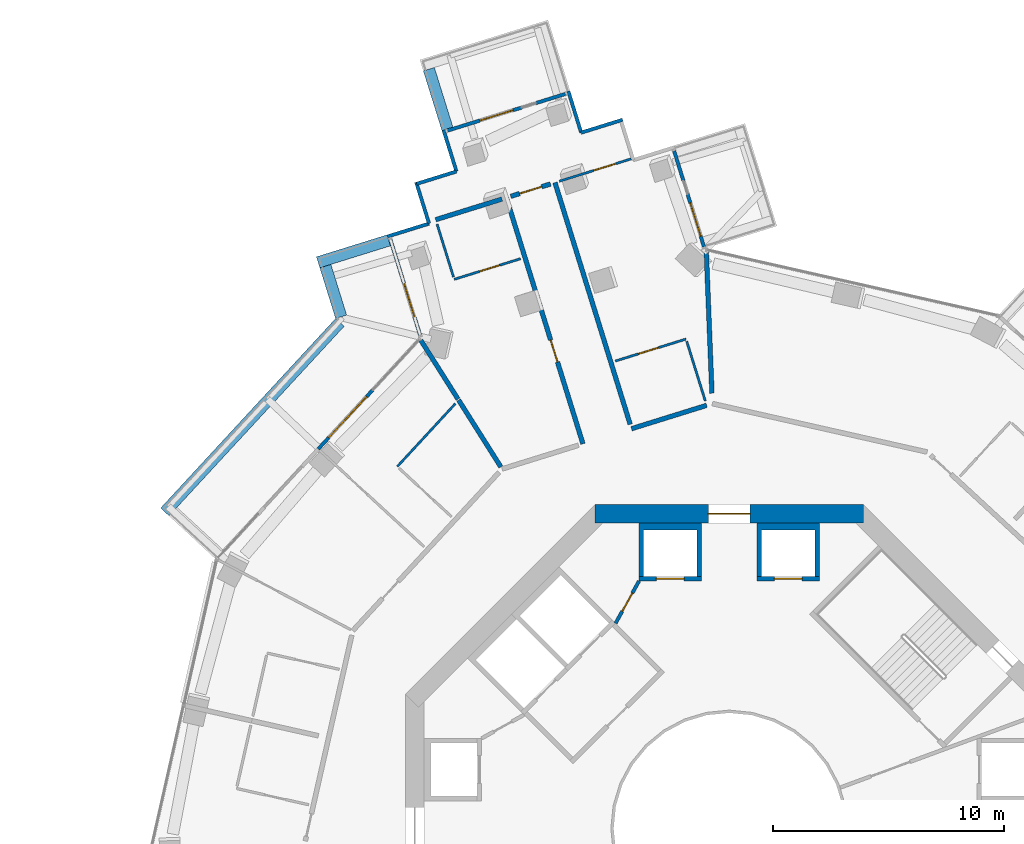
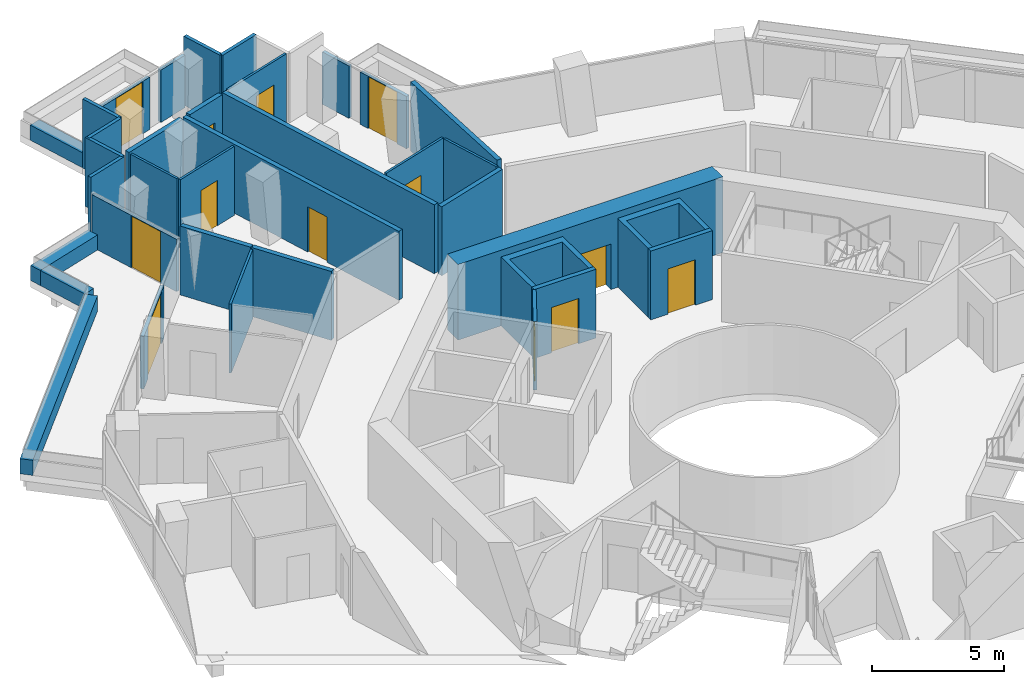
# One storey, part 21 of 25: 36 walls, 13 doors, 13 openings.
"""IFC4 building model written with IfcOpenShell, lengths in metres."""

import ifcopenshell
import ifcopenshell.guid

model = None  # the IFC model being written
_history = None  # IfcOwnerHistory: only IFC2X3 demands one
_inside = {}  # id of a spatial element -> (the spatial element, [elements in it])
_under = {}  # id of a project, library or spatial element -> (it, [spatial elements below it])
_declared = {}  # id of a project -> (the project, [libraries it declares])
_typed = {}  # id of a type object -> (the type object, [elements of that type])
_made_of = {}  # id of a material, layer set ... -> (it, [elements and type objects made of it])


def new_model(schema):
    """Start an empty IFC model of exactly this schema.

    Asked for "IFC4X3", IfcOpenShell would pick the latest addendum, in which some entities
    have other attributes; the version numbers below select the first issue.
    IFC2X3 requires an IfcOwnerHistory on every rooted entity: one is made here for all.
    """
    global model, _history
    if schema == "IFC4X3":
        model = ifcopenshell.file(schema_version=(4, 3, 0, 0))
    else:
        model = ifcopenshell.file(schema=schema)
    _inside.clear()
    _under.clear()
    _declared.clear()
    _typed.clear()
    _made_of.clear()
    _history = None
    if model.schema == "IFC2X3":
        org = make("IfcOrganization", Name="unknown")
        user = make(
            "IfcPersonAndOrganization",
            ThePerson=make("IfcPerson", FamilyName="unknown"),
            TheOrganization=org,
        )
        app = make(
            "IfcApplication",
            ApplicationDeveloper=org,
            Version="unknown",
            ApplicationFullName="unknown",
            ApplicationIdentifier="unknown",
        )
        _history = make(
            "IfcOwnerHistory",
            OwningUser=user,
            OwningApplication=app,
            ChangeAction="ADDED",
            CreationDate=0,
        )
    return model


def make(cls, **values):
    """One entity of the class cls with the attributes given. An attribute that is None is left unset."""
    return model.create_entity(
        cls, **{name: value for name, value in values.items() if value is not None}
    )


def rooted(cls, **values):
    """An entity with a GlobalId (a new one), such as an element, a storey or a relation."""
    return make(cls, GlobalId=ifcopenshell.guid.new(), OwnerHistory=_history, **values)


def si_unit(unit_type, name, prefix=None):
    """IfcSIUnit, for example si_unit("LENGTHUNIT", "METRE", prefix="MILLI")."""
    return make("IfcSIUnit", UnitType=unit_type, Prefix=prefix, Name=name)


def assignment(units):
    """IfcUnitAssignment: the units of a project."""
    return None if units is None else make("IfcUnitAssignment", Units=units)


def point(xyz):
    """IfcCartesianPoint."""
    return None if xyz is None else make("IfcCartesianPoint", Coordinates=xyz)


def direction(xyz):
    """IfcDirection."""
    return None if xyz is None else make("IfcDirection", DirectionRatios=xyz)


def frame(location, z_axis=None, x_axis=None):
    """IfcAxis2Placement3D, a coordinate frame: its origin and axes. An axis left out is left unset."""
    return make(
        "IfcAxis2Placement3D",
        Location=point(location),
        Axis=direction(z_axis),
        RefDirection=direction(x_axis),
    )


def frame_2d(location, x_axis=None):
    """IfcAxis2Placement2D, a coordinate frame in the plane: its origin and x axis."""
    return make(
        "IfcAxis2Placement2D", Location=point(location), RefDirection=direction(x_axis)
    )


def origin():
    """The frame at (0, 0, 0) with its axes left unset."""
    return frame((0.0, 0.0, 0.0))


def place(relative_to, where):
    """IfcLocalPlacement: puts the frame where relative to a parent placement (None: the world)."""
    return make(
        "IfcLocalPlacement", PlacementRelTo=relative_to, RelativePlacement=where
    )


def context(
    kind, dimensions, precision=None, world=None, true_north=None, identifier=None
):
    """IfcGeometricRepresentationContext, for example the 3D "Model" context."""
    return make(
        "IfcGeometricRepresentationContext",
        ContextIdentifier=identifier,
        ContextType=kind,
        CoordinateSpaceDimension=dimensions,
        Precision=precision,
        WorldCoordinateSystem=world,
        TrueNorth=true_north,
    )


def subcontext(parent, identifier, kind, view, scale=None):
    """IfcGeometricRepresentationSubContext, for example "Body" below "Model"."""
    return make(
        "IfcGeometricRepresentationSubContext",
        ContextIdentifier=identifier,
        ContextType=kind,
        ParentContext=parent,
        TargetScale=scale,
        TargetView=view,
    )


def project(units=None, contexts=None):
    """IfcProject with its units and contexts."""
    return rooted(
        "IfcProject",
        Name="project",
        RepresentationContexts=contexts,
        UnitsInContext=assignment(units),
    )


def spatial(cls, under=None, at=None, **own):
    """A site, building, storey or space (cls), placed at a placement, below another one or the project."""
    s = rooted(cls, ObjectPlacement=at, **own)
    if under is not None:
        _under.setdefault(under.id(), (under, []))[1].append(s)
    return s


def polyline(points):
    """IfcPolyline through the points."""
    return make("IfcPolyline", Points=[point(p) for p in points])


def profile(cls, at=None, kind="AREA", **sizes):
    """A parametric profile (cls). Its sizes go by their IFC names, for example OverallWidth=200.0."""
    return make(cls, ProfileType=kind, Position=at, **sizes)


def rectangle(**sizes):
    """IfcRectangleProfileDef."""
    return profile("IfcRectangleProfileDef", **sizes)


def outline(outer, holes=None, kind="AREA"):
    """IfcArbitraryClosedProfileDef: a profile drawn as a closed curve; with holes, ...WithVoids."""
    if holes is None:
        return make("IfcArbitraryClosedProfileDef", ProfileType=kind, OuterCurve=outer)
    return make(
        "IfcArbitraryProfileDefWithVoids",
        ProfileType=kind,
        OuterCurve=outer,
        InnerCurves=holes,
    )


def extrude(swept, where, along, depth):
    """IfcExtrudedAreaSolid: the profile swept, set in the frame where, extruded along a direction by depth."""
    return make(
        "IfcExtrudedAreaSolid",
        SweptArea=swept,
        Position=where,
        ExtrudedDirection=direction(along),
        Depth=depth,
    )


def shape(context_of_items, identifier, shape_type, items):
    """IfcShapeRepresentation: the items that make up one representation, for example the "Body"."""
    return make(
        "IfcShapeRepresentation",
        ContextOfItems=context_of_items,
        RepresentationIdentifier=identifier,
        RepresentationType=shape_type,
        Items=items,
    )


def material(Name=None, Category=None):
    """IfcMaterial."""
    return make("IfcMaterial", Name=Name, Category=Category)


def layer(
    of_material, thickness, ventilated=None, Name=None, Category=None, Priority=None
):
    """IfcMaterialLayer: one layer of a wall or slab, of a material (None: an air gap)."""
    return make(
        "IfcMaterialLayer",
        Material=of_material,
        LayerThickness=thickness,
        IsVentilated=ventilated,
        Name=Name,
        Category=Category,
        Priority=Priority,
    )


def layer_set(layers, Name=None):
    """IfcMaterialLayerSet."""
    return make("IfcMaterialLayerSet", MaterialLayers=layers, LayerSetName=Name)


def made_of(thing, what):
    """Note that an element or type object is made of a material, layer set ...; save() writes the relation."""
    if what is not None:
        _made_of.setdefault(what.id(), (what, []))[1].append(thing)
    return thing


def type_object(cls, material=None, **own):
    """A type object (cls), such as IfcWallType, which elements share."""
    return made_of(rooted(cls, **own), material)


def element(
    cls,
    number,
    at=None,
    inside=None,
    cuts=None,
    type_object=None,
    material=None,
    context=None,
    identifier="Body",
    shape_type=None,
    held_by="IfcProductDefinitionShape",
    body=None,
    shapes=None,
    **own,
):
    """One element of the class cls, such as IfcWall. Its Tag is "e" and its number.

    at: its placement. inside: the storey or other place that contains it. cuts: it is an
    opening in that element (IfcRelVoidsElement). A single representation is given by context,
    identifier, shape_type and body (its items); several are given by shapes. held_by: the class
    of the entity that holds the representations. save() writes the other relations.
    """
    e = rooted(cls, Tag="e%d" % number, ObjectPlacement=at, **own)
    if body is not None:
        shapes = [shape(context, identifier, shape_type, body)]
    if shapes is not None:
        e.Representation = make(held_by, Representations=shapes)
    if inside is not None:
        _inside.setdefault(inside.id(), (inside, []))[1].append(e)
    if cuts is not None:
        rooted(
            "IfcRelVoidsElement", RelatingBuildingElement=cuts, RelatedOpeningElement=e
        )
    if type_object is not None:
        _typed.setdefault(type_object.id(), (type_object, []))[1].append(e)
    return made_of(e, material)


def fill(opening, filler):
    """IfcRelFillsElement: the door or window that sits in an opening."""
    return rooted(
        "IfcRelFillsElement",
        RelatingOpeningElement=opening,
        RelatedBuildingElement=filler,
    )


def aggregate(whole, parts):
    """IfcRelAggregates: a whole, such as a stair, and the parts it consists of."""
    return rooted("IfcRelAggregates", RelatingObject=whole, RelatedObjects=parts)


def save(model, path):
    """Write the relations noted so far, then the file.

    IfcRelAggregates (storeys below a building ...), IfcRelContainedInSpatialStructure (elements
    in a storey), IfcRelDefinesByType, IfcRelAssociatesMaterial and IfcRelDeclares: one each for
    every whole, place, type object, material and project.
    """
    for whole, parts in _under.values():
        aggregate(whole, parts)
    for where, things in _inside.values():
        rooted(
            "IfcRelContainedInSpatialStructure",
            RelatedElements=things,
            RelatingStructure=where,
        )
    for kind, things in _typed.values():
        rooted("IfcRelDefinesByType", RelatedObjects=things, RelatingType=kind)
    for what, things in _made_of.values():
        rooted("IfcRelAssociatesMaterial", RelatedObjects=things, RelatingMaterial=what)
    for by, libraries in _declared.values():
        rooted("IfcRelDeclares", RelatingContext=by, RelatedDefinitions=libraries)
    model.write(path)


model = new_model("IFC4")

# Units and contexts
model_context = context("Model", 3, precision=1e-05, world=origin(), true_north=direction((0.0, 1.0)))
body_context = subcontext(model_context, "Body", "Model", "MODEL_VIEW")
ifc_project = project(units=[si_unit("LENGTHUNIT", "METRE"), si_unit("AREAUNIT", "SQUARE_METRE"), si_unit("VOLUMEUNIT", "CUBIC_METRE"), si_unit("PLANEANGLEUNIT", "RADIAN"), si_unit("MASSUNIT", "GRAM", prefix="KILO")], contexts=[model_context])

# Site, building, storey
site_placement = place(None, origin())
site = spatial("IfcSite", under=ifc_project, at=site_placement, CompositionType="ELEMENT")
building_placement = place(site_placement, origin())
building = spatial("IfcBuilding", under=site, at=building_placement, Name="Verdalira Terraces Hotel", CompositionType="ELEMENT")
storey_placement = place(building_placement, frame((0.0, 0.0, 103.5)))
storey = spatial("IfcBuildingStorey", under=building, at=storey_placement, Name="L24", CompositionType="ELEMENT", Elevation=103.5)

# Walls
ifc_material_1 = material(Name="Concrete C40", Category="concrete")
ifc_layer_1 = layer(ifc_material_1, 0.5)
ifc_layer_set_1 = layer_set([ifc_layer_1], Name="Balcony planter trough with tree")
wall_type_1 = type_object("IfcWallType", Name="Balcony planter trough with tree", PredefinedType="SOLIDWALL", material=ifc_layer_set_1)
wall_1_placement = place(storey_placement, frame((-12.986328, 32.823975, 0.0), z_axis=(0.0, 0.0, 1.0), x_axis=(0.297059222, -0.954859057, 0.0)))
element("IfcWall", 1, at=wall_1_placement, inside=storey, type_object=wall_type_1, Name="Balcony planter", PredefinedType="SOLIDWALL", context=body_context, shape_type="SweptSolid", body=[
    extrude(rectangle(XDim=2.698975, YDim=0.5, at=frame_2d((1.349609, 0.0))), origin(), (0.0, 0.0, 1.0), 0.699951),
])
wall_2_placement = place(storey_placement, frame((-14.717773, 25.425781, 0.0), z_axis=(0.0, 0.0, 1.0), x_axis=(-0.954870245, -0.297023257, 0.0)))
element("IfcWall", 2, at=wall_2_placement, inside=storey, type_object=wall_type_1, Name="Balcony planter", PredefinedType="SOLIDWALL", context=body_context, shape_type="SweptSolid", body=[
    extrude(rectangle(XDim=3.198975, YDim=0.5, at=frame_2d((1.599609, 0.0))), origin(), (0.0, 0.0, 1.0), 0.699951),
])
wall_3_placement = place(storey_placement, frame((-17.459473, 24.311035, 0.0), z_axis=(0.0, 0.0, 1.0), x_axis=(0.29703852, -0.954865497, 0.0)))
element("IfcWall", 3, at=wall_3_placement, inside=storey, type_object=wall_type_1, Name="Balcony planter", PredefinedType="SOLIDWALL", context=body_context, shape_type="SweptSolid", body=[
    extrude(rectangle(XDim=2.293945, YDim=0.5, at=frame_2d((1.146973, 0.0))), origin(), (0.0, 0.0, 1.0), 0.699951),
])
wall_4_placement = place(storey_placement, frame((-16.833008, 21.876709, 0.0), z_axis=(0.0, 0.0, 1.0), x_axis=(-0.67841738, -0.734676703, 0.0)))
element("IfcWall", 4, at=wall_4_placement, inside=storey, type_object=wall_type_1, Name="Balcony planter", PredefinedType="SOLIDWALL", context=body_context, shape_type="SweptSolid", body=[
    extrude(rectangle(XDim=11.152588, YDim=0.5, at=frame_2d((5.576172, 0.0))), origin(), (0.0, 0.0, 1.0), 0.699951),
])
ifc_material_2 = material(Name="Moisture-resistant gypsum board partition")
ifc_layer_2 = layer(ifc_material_2, 0.10009765625)
ifc_layer_set_2 = layer_set([ifc_layer_2], Name="Bathroom partition 100 mm")
wall_type_2 = type_object("IfcWallType", Name="Bathroom partition 100 mm", PredefinedType="PARTITIONING", material=ifc_layer_set_2)
wall_5_placement = place(storey_placement, frame((-11.838867, 18.367188, 0.0), z_axis=(0.0, 0.0, 1.0), x_axis=(-0.678436129, -0.73465939, 0.0)))
element("IfcWall", 5, at=wall_5_placement, inside=storey, type_object=wall_type_2, Name="Bathroom partition", PredefinedType="PARTITIONING", context=body_context, shape_type="SweptSolid", body=[
    extrude(rectangle(XDim=3.704102, YDim=0.100098, at=frame_2d((1.852051, 0.0))), origin(), (0.0, 0.0, 1.0), 3.189941),
])
wall_6_placement = place(storey_placement, frame((-11.918213, 23.835693, 0.0), z_axis=(0.0, 0.0, 1.0), x_axis=(-0.297058308, 0.954859341, 0.0)))
element("IfcWall", 6, at=wall_6_placement, inside=storey, type_object=wall_type_2, Name="Bathroom partition", PredefinedType="PARTITIONING", context=body_context, shape_type="SweptSolid", body=[
    extrude(rectangle(XDim=2.399902, YDim=0.100098, at=frame_2d((1.199951, 0.0))), origin(), (0.0, 0.0, 1.0), 3.189941),
])

# Wall, opening, door
wall_7_placement = place(storey_placement, frame((-11.888428, 23.740234, 0.0), z_axis=(0.0, 0.0, 1.0), x_axis=(0.954870112, 0.297023684, 0.0)))
wall_7 = element("IfcWall", 7, at=wall_7_placement, inside=storey, type_object=wall_type_2, Name="Bathroom partition", PredefinedType="PARTITIONING", context=body_context, shape_type="SweptSolid", body=[
    extrude(rectangle(XDim=3.000244, YDim=0.100098, at=frame_2d((1.5, 0.0))), origin(), (0.0, 0.0, 1.0), 3.189941),
])
opening_1_placement = place(wall_7_placement, frame((1.149902, 0.0, 0.0)))
opening_1 = element("IfcOpeningElement", 8, at=opening_1_placement, cuts=wall_7, Name="Opening L24-105", PredefinedType="OPENING", context=body_context, shape_type="SweptSolid", body=[
    extrude(rectangle(XDim=0.899902, YDim=2.100098, at=frame_2d((0.449951, 1.050049))), frame((0.0, 0.060059, 0.0), z_axis=(0.0, -1.0, 0.0), x_axis=(1.0, 0.0, 0.0)), (0.0, 0.0, 1.0), 0.120117),
])
ifc_material_3 = material(Name="Timber door", Category="wood")
door_type_1 = type_object("IfcDoorType", Name="Bathroom door 900 x 2100", OperationType="NOTDEFINED", PredefinedType="DOOR", material=ifc_material_3)
door_1_placement = place(opening_1_placement, origin())
door_1 = element("IfcDoor", 9, at=door_1_placement, inside=storey, type_object=door_type_1, Name="Bathroom door 2402", OperationType="SINGLE_SWING_LEFT", OverallHeight=2.10009765625, OverallWidth=0.89990234375, PredefinedType="DOOR", context=body_context, shape_type="SweptSolid", body=[
    extrude(rectangle(XDim=0.899902, YDim=2.100098, at=frame_2d((0.449951, 1.050049))), frame((0.0, 0.024902, 0.0), z_axis=(0.0, -1.0, 0.0), x_axis=(1.0, 0.0, 0.0)), (0.0, 0.0, 1.0), 0.050049),
])
fill(opening_1, door_1)

wall_8_placement = place(storey_placement, frame((-4.238037, 28.947754, 0.0), z_axis=(0.0, 0.0, 1.0), x_axis=(-0.95485725, -0.297065032, 0.0)))
wall_8 = element("IfcWall", 10, at=wall_8_placement, inside=storey, type_object=wall_type_2, Name="Bathroom partition", PredefinedType="PARTITIONING", context=body_context, shape_type="SweptSolid", body=[
    extrude(rectangle(XDim=3.251953, YDim=0.100098, at=frame_2d((1.625977, 0.0))), origin(), (0.0, 0.0, 1.0), 3.189941),
])
opening_2_placement = place(wall_8_placement, frame((0.699951, 0.0, 0.0)))
opening_2 = element("IfcOpeningElement", 11, at=opening_2_placement, cuts=wall_8, Name="Opening L24-102", PredefinedType="OPENING", context=body_context, shape_type="SweptSolid", body=[
    extrude(rectangle(XDim=1.0, YDim=2.100098, at=frame_2d((0.5, 1.050049))), frame((0.0, 0.060059, 0.0), z_axis=(0.0, -1.0, 0.0), x_axis=(1.0, 0.0, 0.0)), (0.0, 0.0, 1.0), 0.120117),
])
ifc_material_4 = material(Name="Timber door", Category="wood")
door_type_2 = type_object("IfcDoorType", Name="Suite internal door 1000 x 2100", OperationType="NOTDEFINED", PredefinedType="DOOR", material=ifc_material_4)
door_2_placement = place(opening_2_placement, origin())
door_2 = element("IfcDoor", 12, at=door_2_placement, inside=storey, type_object=door_type_2, Name="Suite internal door 2401", OperationType="SINGLE_SWING_LEFT", OverallHeight=2.10009765625, OverallWidth=1.0, PredefinedType="DOOR", context=body_context, shape_type="SweptSolid", body=[
    extrude(rectangle(XDim=1.0, YDim=2.100098, at=frame_2d((0.5, 1.050049))), frame((0.0, 0.024902, 0.0), z_axis=(0.0, -1.0, 0.0), x_axis=(1.0, 0.0, 0.0)), (0.0, 0.0, 1.0), 0.050049),
])
fill(opening_2, door_2)

wall_9_placement = place(storey_placement, frame((-1.869141, 21.158203, 0.0), z_axis=(0.0, 0.0, 1.0), x_axis=(-0.954853891, -0.297075827, 0.0)))
wall_9 = element("IfcWall", 13, at=wall_9_placement, inside=storey, type_object=wall_type_2, Name="Bathroom partition", PredefinedType="PARTITIONING", context=body_context, shape_type="SweptSolid", body=[
    extrude(rectangle(XDim=3.200195, YDim=0.100098, at=frame_2d((1.600098, 0.0))), origin(), (0.0, 0.0, 1.0), 3.189941),
])
opening_3_placement = place(wall_9_placement, frame((1.25, 0.0, 0.0)))
opening_3 = element("IfcOpeningElement", 14, at=opening_3_placement, cuts=wall_9, Name="Opening L24-103", PredefinedType="OPENING", context=body_context, shape_type="SweptSolid", body=[
    extrude(rectangle(XDim=0.899902, YDim=2.100098, at=frame_2d((0.449951, 1.050049))), frame((0.0, 0.060059, 0.0), z_axis=(0.0, -1.0, 0.0), x_axis=(1.0, 0.0, 0.0)), (0.0, 0.0, 1.0), 0.120117),
])
door_3_placement = place(opening_3_placement, origin())
door_3 = element("IfcDoor", 15, at=door_3_placement, inside=storey, type_object=door_type_1, Name="Bathroom door 2401", OperationType="SINGLE_SWING_LEFT", OverallHeight=2.10009765625, OverallWidth=0.89990234375, PredefinedType="DOOR", context=body_context, shape_type="SweptSolid", body=[
    extrude(rectangle(XDim=0.899902, YDim=2.100098, at=frame_2d((0.449951, 1.050049))), frame((0.0, 0.024902, 0.0), z_axis=(0.0, -1.0, 0.0), x_axis=(1.0, 0.0, 0.0)), (0.0, 0.0, 1.0), 0.050049),
])
fill(opening_3, door_3)

# Walls
wall_10_placement = place(storey_placement, frame((-1.037598, 18.484619, 0.0), z_axis=(0.0, 0.0, 1.0), x_axis=(-0.29706472, 0.954857346, 0.0)))
element("IfcWall", 16, at=wall_10_placement, inside=storey, type_object=wall_type_2, Name="Bathroom partition", PredefinedType="PARTITIONING", context=body_context, shape_type="SweptSolid", body=[
    extrude(rectangle(XDim=2.699707, YDim=0.100098, at=frame_2d((1.349854, 0.0))), origin(), (0.0, 0.0, 1.0), 3.189941),
])
ifc_material_5 = material(Name="Concrete C50", Category="concrete")
ifc_layer_3 = layer(ifc_material_5, 0.199951171875)
ifc_layer_set_3 = layer_set([ifc_layer_3], Name="Core RC wall 200 C50")
wall_type_3 = type_object("IfcWallType", Name="Core RC wall 200 C50", PredefinedType="SOLIDWALL", material=ifc_layer_set_3)
wall_11_placement = place(storey_placement, origin())
element("IfcWall", 17, at=wall_11_placement, inside=storey, type_object=wall_type_3, Name="L24 shaft wall N1", PredefinedType="SOLIDWALL", context=body_context, shape_type="SweptSolid", body=[
    extrude(outline(polyline([(3.899902, 13.199951), (3.899902, 10.899902), (3.699951, 10.899902), (3.699951, 12.899902), (1.399902, 12.899902), (1.399902, 10.899902), (1.199951, 10.899902), (1.199951, 13.199951), (3.899902, 13.199951)])), origin(), (0.0, 0.0, 1.0), 3.189941),
])

# Wall, opening, door
wall_12_placement = place(storey_placement, frame((1.199951, 10.800049, 0.0), z_axis=(0.0, 0.0, 1.0), x_axis=(1.0, 0.0, 0.0)))
wall_12 = element("IfcWall", 18, at=wall_12_placement, inside=storey, type_object=wall_type_3, Name="L24 shaft front wall N1", PredefinedType="SOLIDWALL", context=body_context, shape_type="SweptSolid", body=[
    extrude(rectangle(XDim=2.699951, YDim=0.199951, at=frame_2d((1.350098, 0.0))), origin(), (0.0, 0.0, 1.0), 3.189941),
])
opening_4_placement = place(wall_12_placement, frame((0.75, 0.0, 0.0)))
opening_4 = element("IfcOpeningElement", 19, at=opening_4_placement, cuts=wall_12, Name="Opening LD-L24-803", PredefinedType="OPENING", context=body_context, shape_type="SweptSolid", body=[
    extrude(rectangle(XDim=1.199951, YDim=2.100098, at=frame_2d((0.600098, 1.050049))), frame((0.0, 0.109863, 0.0), z_axis=(0.0, -1.0, 0.0), x_axis=(1.0, 0.0, 0.0)), (0.0, 0.0, 1.0), 0.219971),
])
ifc_material_6 = material(Name="Stainless steel", Category="steel")
door_type_3 = type_object("IfcDoorType", Name="Landing door 1200 x 2100", OperationType="NOTDEFINED", PredefinedType="DOOR", material=ifc_material_6)
door_4_placement = place(opening_4_placement, origin())
door_4 = element("IfcDoor", 20, at=door_4_placement, inside=storey, type_object=door_type_3, Name="Lift landing door LR3 L24", OperationType="DOUBLE_DOOR_SLIDING", OverallHeight=2.10009765625, OverallWidth=1.199951171875, PredefinedType="DOOR", context=body_context, shape_type="SweptSolid", body=[
    extrude(rectangle(XDim=1.199951, YDim=2.100098, at=frame_2d((0.600098, 1.050049))), frame((0.0, 0.024902, 0.0), z_axis=(0.0, -1.0, 0.0), x_axis=(1.0, 0.0, 0.0)), (0.0, 0.0, 1.0), 0.050049),
])
fill(opening_4, door_4)

# Wall
wall_13_placement = place(storey_placement, origin())
element("IfcWall", 21, at=wall_13_placement, inside=storey, type_object=wall_type_3, Name="L24 shaft wall N2", PredefinedType="SOLIDWALL", context=body_context, shape_type="SweptSolid", body=[
    extrude(outline(polyline([(-3.899902, 10.899902), (-3.899902, 13.199951), (-1.199951, 13.199951), (-1.199951, 10.899902), (-1.399902, 10.899902), (-1.399902, 12.899902), (-3.699951, 12.899902), (-3.699951, 10.899902), (-3.899902, 10.899902)])), origin(), (0.0, 0.0, 1.0), 3.189941),
])

# Wall, opening, door
wall_14_placement = place(storey_placement, frame((-1.199951, 10.800049, 0.0), z_axis=(0.0, 0.0, 1.0), x_axis=(-1.0, 0.0, 0.0)))
wall_14 = element("IfcWall", 22, at=wall_14_placement, inside=storey, type_object=wall_type_3, Name="L24 shaft front wall N2", PredefinedType="SOLIDWALL", context=body_context, shape_type="SweptSolid", body=[
    extrude(rectangle(XDim=2.699951, YDim=0.199951, at=frame_2d((1.350098, 0.0))), origin(), (0.0, 0.0, 1.0), 3.189941),
])
opening_5_placement = place(wall_14_placement, frame((0.75, 0.0, 0.0)))
opening_5 = element("IfcOpeningElement", 23, at=opening_5_placement, cuts=wall_14, Name="Opening LD-L24-804", PredefinedType="OPENING", context=body_context, shape_type="SweptSolid", body=[
    extrude(rectangle(XDim=1.199951, YDim=2.100098, at=frame_2d((0.600098, 1.050049))), frame((0.0, 0.109863, 0.0), z_axis=(0.0, -1.0, 0.0), x_axis=(1.0, 0.0, 0.0)), (0.0, 0.0, 1.0), 0.219971),
])
door_5_placement = place(opening_5_placement, origin())
door_5 = element("IfcDoor", 24, at=door_5_placement, inside=storey, type_object=door_type_3, Name="Lift landing door LR4 L24", OperationType="DOUBLE_DOOR_SLIDING", OverallHeight=2.10009765625, OverallWidth=1.199951171875, PredefinedType="DOOR", context=body_context, shape_type="SweptSolid", body=[
    extrude(rectangle(XDim=1.199951, YDim=2.100098, at=frame_2d((0.600098, 1.050049))), frame((0.0, 0.024902, 0.0), z_axis=(0.0, -1.0, 0.0), x_axis=(1.0, 0.0, 0.0)), (0.0, 0.0, 1.0), 0.050049),
])
fill(opening_5, door_5)

ifc_material_7 = material(Name="Gypsum board partition")
ifc_layer_4 = layer(ifc_material_7, 0.14990234375)
ifc_layer_set_4 = layer_set([ifc_layer_4], Name="Core partition 150 mm")
wall_type_4 = type_object("IfcWallType", Name="Core partition 150 mm", PredefinedType="PARTITIONING", material=ifc_layer_set_4)
wall_15_placement = place(storey_placement, frame((-3.899902, 10.699951, 0.0), z_axis=(0.0, 0.0, 1.0), x_axis=(-0.485692555, -0.874129705, 0.0)))
wall_15 = element("IfcWall", 25, at=wall_15_placement, inside=storey, type_object=wall_type_4, Name="Room partition L24", PredefinedType="PARTITIONING", context=body_context, shape_type="SweptSolid", body=[
    extrude(rectangle(XDim=2.088623, YDim=0.149902, at=frame_2d((1.044434, 0.0))), origin(), (0.0, 0.0, 1.0), 3.189941),
])
opening_6_placement = place(wall_15_placement, frame((0.594238, 0.0, 0.0)))
opening_6 = element("IfcOpeningElement", 26, at=opening_6_placement, cuts=wall_15, Name="Opening L24-820", PredefinedType="OPENING", context=body_context, shape_type="SweptSolid", body=[
    extrude(rectangle(XDim=0.899902, YDim=2.100098, at=frame_2d((0.449951, 1.050049))), frame((0.0, 0.084961, 0.0), z_axis=(0.0, -1.0, 0.0), x_axis=(1.0, 0.0, 0.0)), (0.0, 0.0, 1.0), 0.169922),
])
ifc_material_8 = material(Name="Steel fire door", Category="steel")
door_type_4 = type_object("IfcDoorType", Name="Core room door 900 x 2100", OperationType="NOTDEFINED", PredefinedType="DOOR", material=ifc_material_8)
door_6_placement = place(opening_6_placement, origin())
door_6 = element("IfcDoor", 27, at=door_6_placement, inside=storey, type_object=door_type_4, Name="Door L24 room2", OperationType="SINGLE_SWING_LEFT", OverallHeight=2.10009765625, OverallWidth=0.89990234375, PredefinedType="DOOR", context=body_context, shape_type="SweptSolid", body=[
    extrude(rectangle(XDim=0.899902, YDim=2.100098, at=frame_2d((0.449951, 1.050049))), frame((0.0, 0.024902, 0.0), z_axis=(0.0, -1.0, 0.0), x_axis=(1.0, 0.0, 0.0)), (0.0, 0.0, 1.0), 0.050049),
])
fill(opening_6, door_6)

ifc_material_9 = material(Name="Concrete C70", Category="concrete")
ifc_layer_5 = layer(ifc_material_9, 0.800048828125)
ifc_layer_set_5 = layer_set([ifc_layer_5], Name="Core wall 800 C70")
wall_type_5 = type_object("IfcWallType", Name="Core wall 800 C70", PredefinedType="SHEAR", material=ifc_layer_set_5)
wall_16_placement = place(storey_placement, frame((5.799072, 13.600098, 0.0), z_axis=(0.0, 0.0, 1.0), x_axis=(-1.0, 0.0, 0.0)))
wall_16 = element("IfcWall", 28, at=wall_16_placement, inside=storey, type_object=wall_type_5, Name="Core wall CW-L24-3", PredefinedType="SHEAR", context=body_context, shape_type="SweptSolid", body=[
    extrude(rectangle(XDim=11.598145, YDim=0.800049, at=frame_2d((5.799072, 0.0))), origin(), (0.0, 0.0, 1.0), 3.5),
])
opening_7_placement = place(wall_16_placement, frame((4.898926, 0.0, 0.0)))
opening_7 = element("IfcOpeningElement", 29, at=opening_7_placement, cuts=wall_16, Name="Opening L24-813", PredefinedType="OPENING", context=body_context, shape_type="SweptSolid", body=[
    extrude(rectangle(XDim=1.800049, YDim=2.100098, at=frame_2d((0.899902, 1.050049))), frame((0.0, 0.409912, 0.0), z_axis=(0.0, -1.0, 0.0), x_axis=(1.0, 0.0, 0.0)), (0.0, 0.0, 1.0), 0.820068),
])
ifc_material_10 = material(Name="Steel fire door", Category="steel")
door_type_5 = type_object("IfcDoorType", Name="Core entry door pair 1800 x 2100", OperationType="NOTDEFINED", PredefinedType="DOOR", material=ifc_material_10)
door_7_placement = place(opening_7_placement, origin())
door_7 = element("IfcDoor", 30, at=door_7_placement, inside=storey, type_object=door_type_5, Name="Core entry door L24 2", OperationType="DOUBLE_DOOR_SINGLE_SWING", OverallHeight=2.10009765625, OverallWidth=1.800048828125, PredefinedType="DOOR", context=body_context, shape_type="SweptSolid", body=[
    extrude(rectangle(XDim=1.800049, YDim=2.100098, at=frame_2d((0.899902, 1.050049))), frame((0.0, 0.024902, 0.0), z_axis=(0.0, -1.0, 0.0), x_axis=(1.0, 0.0, 0.0)), (0.0, 0.0, 1.0), 0.050049),
])
fill(opening_7, door_7)

# Walls
ifc_material_11 = material(Name="Fire-rated gypsum board wall")
ifc_layer_6 = layer(ifc_material_11, 0.199951171875)
ifc_layer_set_6 = layer_set([ifc_layer_6], Name="Demising wall 200 mm")
wall_type_6 = type_object("IfcWallType", Name="Demising wall 200 mm", PredefinedType="SOLIDWALL", material=ifc_layer_set_6)
wall_17_placement = place(storey_placement, frame((-11.724121, 18.559814, 0.0), z_axis=(0.0, 0.0, 1.0), x_axis=(-0.534044847, 0.84545615, 0.0)))
element("IfcWall", 31, at=wall_17_placement, inside=storey, type_object=wall_type_6, Name="Demising wall", PredefinedType="SOLIDWALL", context=body_context, shape_type="SweptSolid", body=[
    extrude(rectangle(XDim=3.01123, YDim=0.199951, at=frame_2d((1.505615, 0.0))), origin(), (0.0, 0.0, 1.0), 3.189941),
])
wall_18_placement = place(storey_placement, frame((-9.823975, 27.209961, 0.0), z_axis=(0.0, 0.0, 1.0), x_axis=(-0.954862411, -0.297048439, 0.0)))
element("IfcWall", 32, at=wall_18_placement, inside=storey, type_object=wall_type_6, Name="Demising wall", PredefinedType="SOLIDWALL", context=body_context, shape_type="SweptSolid", body=[
    extrude(rectangle(XDim=3.003906, YDim=0.199951, at=frame_2d((1.501953, 0.0))), origin(), (0.0, 0.0, 1.0), 3.189941),
])
wall_19_placement = place(storey_placement, frame((-9.873779, 15.630859, 0.0), z_axis=(0.0, 0.0, 1.0), x_axis=(-0.534062852, 0.845444777, 0.0)))
element("IfcWall", 33, at=wall_19_placement, inside=storey, type_object=wall_type_6, Name="Demising wall", PredefinedType="SOLIDWALL", context=body_context, shape_type="SweptSolid", body=[
    extrude(rectangle(XDim=3.418457, YDim=0.199951, at=frame_2d((1.709229, 0.0))), origin(), (0.0, 0.0, 1.0), 3.189941),
])
wall_20_placement = place(storey_placement, frame((-0.993164, 24.944336, 0.0), z_axis=(0.0, 0.0, 1.0), x_axis=(0.039774056, -0.999208699, 0.0)))
element("IfcWall", 34, at=wall_20_placement, inside=storey, type_object=wall_type_6, Name="Demising wall", PredefinedType="SOLIDWALL", context=body_context, shape_type="SweptSolid", body=[
    extrude(rectangle(XDim=6.13208, YDim=0.199951, at=frame_2d((3.065918, 0.0))), origin(), (0.0, 0.0, 1.0), 3.189941),
])

# Wall, opening, door
ifc_material_12 = material(Name="Fire-rated gypsum board wall")
ifc_layer_7 = layer(ifc_material_12, 0.199951171875)
ifc_layer_set_7 = layer_set([ifc_layer_7], Name="Guest corridor wall 200 mm")
wall_type_7 = type_object("IfcWallType", Name="Guest corridor wall 200 mm", PredefinedType="SOLIDWALL", material=ifc_layer_set_7)
wall_21_placement = place(storey_placement, frame((-9.445801, 27.327637, 0.0), z_axis=(0.0, 0.0, 1.0), x_axis=(0.954884101, 0.29697871, 0.0)))
wall_21 = element("IfcWall", 35, at=wall_21_placement, inside=storey, type_object=wall_type_7, Name="Guest corridor wall", PredefinedType="SOLIDWALL", context=body_context, shape_type="SweptSolid", body=[
    extrude(rectangle(XDim=1.802002, YDim=0.199951, at=frame_2d((0.900879, 0.0))), origin(), (0.0, 0.0, 1.0), 3.189941),
])
opening_8_placement = place(wall_21_placement, frame((0.399902, 0.0, 0.0)))
opening_8 = element("IfcOpeningElement", 36, at=opening_8_placement, cuts=wall_21, Name="Opening L24-101", PredefinedType="OPENING", context=body_context, shape_type="SweptSolid", body=[
    extrude(rectangle(XDim=1.0, YDim=2.100098, at=frame_2d((0.5, 1.050049))), frame((0.0, 0.109863, 0.0), z_axis=(0.0, -1.0, 0.0), x_axis=(1.0, 0.0, 0.0)), (0.0, 0.0, 1.0), 0.219971),
])
ifc_material_13 = material(Name="Timber fire door", Category="wood")
door_type_6 = type_object("IfcDoorType", Name="Guest entry door 1000 x 2100", OperationType="NOTDEFINED", PredefinedType="DOOR", material=ifc_material_13)
door_8_placement = place(opening_8_placement, origin())
door_8 = element("IfcDoor", 37, at=door_8_placement, inside=storey, type_object=door_type_6, Name="Guest entry door 2401", OperationType="SINGLE_SWING_LEFT", OverallHeight=2.10009765625, OverallWidth=1.0, PredefinedType="DOOR", context=body_context, shape_type="SweptSolid", body=[
    extrude(rectangle(XDim=1.0, YDim=2.100098, at=frame_2d((0.5, 1.050049))), frame((0.0, 0.024902, 0.0), z_axis=(0.0, -1.0, 0.0), x_axis=(1.0, 0.0, 0.0)), (0.0, 0.0, 1.0), 0.050049),
])
fill(opening_8, door_8)

wall_22_placement = place(storey_placement, frame((-6.325195, 16.630127, 0.0), z_axis=(0.0, 0.0, 1.0), x_axis=(-0.297066997, 0.954856638, 0.0)))
wall_22 = element("IfcWall", 38, at=wall_22_placement, inside=storey, type_object=wall_type_7, Name="Guest corridor wall", PredefinedType="SOLIDWALL", context=body_context, shape_type="SweptSolid", body=[
    extrude(rectangle(XDim=11.141602, YDim=0.199951, at=frame_2d((5.570801, 0.0))), origin(), (0.0, 0.0, 1.0), 3.189941),
])
opening_9_placement = place(wall_22_placement, frame((3.699951, 0.0, 0.0)))
opening_9 = element("IfcOpeningElement", 39, at=opening_9_placement, cuts=wall_22, Name="Opening L24-104", PredefinedType="OPENING", context=body_context, shape_type="SweptSolid", body=[
    extrude(rectangle(XDim=1.0, YDim=2.100098, at=frame_2d((0.5, 1.050049))), frame((0.0, 0.109863, 0.0), z_axis=(0.0, -1.0, 0.0), x_axis=(1.0, 0.0, 0.0)), (0.0, 0.0, 1.0), 0.219971),
])
door_9_placement = place(opening_9_placement, origin())
door_9 = element("IfcDoor", 40, at=door_9_placement, inside=storey, type_object=door_type_6, Name="Guest entry door 2402", OperationType="SINGLE_SWING_LEFT", OverallHeight=2.10009765625, OverallWidth=1.0, PredefinedType="DOOR", context=body_context, shape_type="SweptSolid", body=[
    extrude(rectangle(XDim=1.0, YDim=2.100098, at=frame_2d((0.5, 1.050049))), frame((0.0, 0.024902, 0.0), z_axis=(0.0, -1.0, 0.0), x_axis=(1.0, 0.0, 0.0)), (0.0, 0.0, 1.0), 0.050049),
])
fill(opening_9, door_9)

# Walls
wall_23_placement = place(storey_placement, frame((-4.283936, 17.474609, 0.0), z_axis=(0.0, 0.0, 1.0), x_axis=(-0.297052538, 0.954861136, 0.0)))
element("IfcWall", 41, at=wall_23_placement, inside=storey, type_object=wall_type_7, Name="Guest corridor wall", PredefinedType="SOLIDWALL", context=body_context, shape_type="SweptSolid", body=[
    extrude(rectangle(XDim=10.94165, YDim=0.199951, at=frame_2d((5.470703, 0.0))), origin(), (0.0, 0.0, 1.0), 3.189941),
])
wall_24_placement = place(storey_placement, frame((-0.978027, 18.293457, 0.0), z_axis=(0.0, 0.0, 1.0), x_axis=(-0.954859945, -0.297056369, 0.0)))
element("IfcWall", 42, at=wall_24_placement, inside=storey, type_object=wall_type_7, Name="Guest corridor wall", PredefinedType="SOLIDWALL", context=body_context, shape_type="SweptSolid", body=[
    extrude(rectangle(XDim=3.400146, YDim=0.199951, at=frame_2d((1.700195, 0.0))), origin(), (0.0, 0.0, 1.0), 3.189941),
])
ifc_material_14 = material(Name="Terracotta cladding", Category="masonry")
ifc_layer_8 = layer(ifc_material_14, 0.14990234375)
ifc_layer_set_8 = layer_set([ifc_layer_8], Name="Terracotta clad wall 150")
wall_type_8 = type_object("IfcWallType", Name="Terracotta clad wall 150", PredefinedType="SOLIDWALL", material=ifc_layer_set_8)
wall_25_placement = place(storey_placement, frame((-4.609131, 30.638916, 0.0), z_axis=(0.0, 0.0, 1.0), x_axis=(-0.954833792, -0.297140422, 0.0)))
element("IfcWall", 43, at=wall_25_placement, inside=storey, type_object=wall_type_8, Name="Terracotta cladding wall", PredefinedType="SOLIDWALL", context=body_context, shape_type="SweptSolid", body=[
    extrude(rectangle(XDim=1.875, YDim=0.149902, at=frame_2d((0.9375, 0.0))), origin(), (0.0, 0.0, 1.0), 3.189941),
])
wall_26_placement = place(storey_placement, frame((-6.399414, 30.081787, 0.0), z_axis=(0.0, 0.0, 1.0), x_axis=(-0.296984774, 0.954882215, 0.0)))
element("IfcWall", 44, at=wall_26_placement, inside=storey, type_object=wall_type_8, Name="Terracotta cladding wall", PredefinedType="SOLIDWALL", context=body_context, shape_type="SweptSolid", body=[
    extrude(rectangle(XDim=1.875244, YDim=0.149902, at=frame_2d((0.9375, 0.0))), origin(), (0.0, 0.0, 1.0), 3.189941),
])
wall_27_placement = place(storey_placement, frame((-12.351318, 30.193848, 0.0), z_axis=(0.0, 0.0, 1.0), x_axis=(0.297021701, -0.954870729, 0.0)))
element("IfcWall", 45, at=wall_27_placement, inside=storey, type_object=wall_type_8, Name="Terracotta cladding wall", PredefinedType="SOLIDWALL", context=body_context, shape_type="SweptSolid", body=[
    extrude(rectangle(XDim=1.875, YDim=0.149902, at=frame_2d((0.9375, 0.0))), origin(), (0.0, 0.0, 1.0), 3.189941),
])
wall_28_placement = place(storey_placement, frame((-11.794434, 28.403564, 0.0), z_axis=(0.0, 0.0, 1.0), x_axis=(-0.954865326, -0.297039071, 0.0)))
element("IfcWall", 46, at=wall_28_placement, inside=storey, type_object=wall_type_8, Name="Terracotta cladding wall", PredefinedType="SOLIDWALL", context=body_context, shape_type="SweptSolid", body=[
    extrude(rectangle(XDim=1.800049, YDim=0.149902, at=frame_2d((0.899902, 0.0))), origin(), (0.0, 0.0, 1.0), 3.189941),
])
for number, where, z_axis, x_axis, name in (
    (47, (-13.5354, 27.94043, 0.0), (0.0, 0.0, 1.0), (0.297021701, -0.954870729, 0.0), "Terracotta cladding wall"),
    (48, (-12.978516, 26.150146, 0.0), (0.0, 0.0, 1.0), (-0.954870729, -0.297021701, 0.0), "Terracotta cladding wall"),
):
    element("IfcWall", number, at=place(storey_placement, frame(where, z_axis=z_axis, x_axis=x_axis)), inside=storey, type_object=wall_type_8, Name=name, PredefinedType="SOLIDWALL", context=body_context, shape_type="SweptSolid", body=[
        extrude(rectangle(XDim=1.875, YDim=0.149902, at=frame_2d((0.9375, 0.0))), origin(), (0.0, 0.0, 1.0), 3.189941),
    ])
ifc_material_15 = material(Name="Terracotta cladding", Category="masonry")
ifc_layer_9 = layer(ifc_material_15, 0.14990234375)
ifc_layer_set_9 = layer_set([ifc_layer_9], Name="Terracotta column pier 150")
wall_type_9 = type_object("IfcWallType", Name="Terracotta column pier 150", PredefinedType="SOLIDWALL", material=ifc_layer_set_9)
wall_29_placement = place(storey_placement, frame((-1.976807, 27.984375, 0.0), z_axis=(0.0, 0.0, 1.0), x_axis=(-0.296936702, 0.954897165, 0.0)))
element("IfcWall", 49, at=wall_29_placement, inside=storey, type_object=wall_type_9, Name="Terracotta column pier", PredefinedType="SOLIDWALL", context=body_context, shape_type="SweptSolid", body=[
    extrude(rectangle(XDim=1.371338, YDim=0.149902, at=frame_2d((0.685547, 0.0))), origin(), (0.0, 0.0, 1.0), 2.425049),
])
wall_30_placement = place(storey_placement, frame((-7.082031, 31.754639, 0.0), z_axis=(0.0, 0.0, 1.0), x_axis=(-0.954865909, -0.297037195, 0.0)))
element("IfcWall", 50, at=wall_30_placement, inside=storey, type_object=wall_type_9, Name="Terracotta column pier", PredefinedType="SOLIDWALL", context=body_context, shape_type="SweptSolid", body=[
    extrude(rectangle(XDim=1.3479, YDim=0.149902, at=frame_2d((0.673828, 0.0))), origin(), (0.0, 0.0, 1.0), 2.425049),
])

# Wall, opening, door
ifc_material_16 = material(Name="Terracotta cladding", Category="masonry")
ifc_layer_10 = layer(ifc_material_16, 0.14990234375)
ifc_layer_set_10 = layer_set([ifc_layer_10], Name="Terracotta door pier 150")
wall_type_10 = type_object("IfcWallType", Name="Terracotta door pier 150", PredefinedType="SOLIDWALL", material=ifc_layer_set_10)
wall_31_placement = place(storey_placement, frame((-1.091553, 25.138672, 0.0), z_axis=(0.0, 0.0, 1.0), x_axis=(-0.297008689, 0.954874776, 0.0)))
wall_31 = element("IfcWall", 51, at=wall_31_placement, inside=storey, type_object=wall_type_10, Name="Terracotta door pier", PredefinedType="SOLIDWALL", context=body_context, shape_type="SweptSolid", body=[
    extrude(rectangle(XDim=2.393555, YDim=0.149902, at=frame_2d((1.196777, 0.0))), origin(), (0.0, 0.0, 1.0), 2.425049),
])
opening_10_placement = place(wall_31_placement, frame((0.493652, 0.0, 0.0)))
opening_10 = element("IfcOpeningElement", 52, at=opening_10_placement, cuts=wall_31, Name="Opening L24-B01", PredefinedType="OPENING", context=body_context, shape_type="SweptSolid", body=[
    extrude(rectangle(XDim=1.5, YDim=2.399902, at=frame_2d((0.75, 1.199951))), frame((0.0, 0.084961, 0.0), z_axis=(0.0, -1.0, 0.0), x_axis=(1.0, 0.0, 0.0)), (0.0, 0.0, 1.0), 0.169922),
])
ifc_material_17 = material(Name="Clear glass", Category="glass")
door_type_7 = type_object("IfcDoorType", Name="Balcony sliding door 1500x2400", OperationType="NOTDEFINED", PredefinedType="DOOR", material=ifc_material_17)
door_10_placement = place(opening_10_placement, origin())
door_10 = element("IfcDoor", 53, at=door_10_placement, inside=storey, type_object=door_type_7, Name="Balcony sliding door", OperationType="SLIDING_TO_LEFT", OverallHeight=2.39990234375, OverallWidth=1.5, PredefinedType="DOOR", context=body_context, shape_type="SweptSolid", body=[
    extrude(rectangle(XDim=1.5, YDim=2.399902, at=frame_2d((0.75, 1.199951))), frame((0.0, 0.024902, 0.0), z_axis=(0.0, -1.0, 0.0), x_axis=(1.0, 0.0, 0.0)), (0.0, 0.0, 1.0), 0.050049),
])
fill(opening_10, door_10)

wall_32_placement = place(storey_placement, frame((-8.963135, 31.169434, 0.0), z_axis=(0.0, 0.0, 1.0), x_axis=(-0.954872301, -0.297016648, 0.0)))
wall_32 = element("IfcWall", 54, at=wall_32_placement, inside=storey, type_object=wall_type_10, Name="Terracotta door pier", PredefinedType="SOLIDWALL", context=body_context, shape_type="SweptSolid", body=[
    extrude(rectangle(XDim=3.370117, YDim=0.149902, at=frame_2d((1.685059, 0.0))), origin(), (0.0, 0.0, 1.0), 2.425049),
])
opening_11_placement = place(wall_32_placement, frame((0.399902, 0.0, 0.0)))
opening_11 = element("IfcOpeningElement", 55, at=opening_11_placement, cuts=wall_32, Name="Opening L24-B02", PredefinedType="OPENING", context=body_context, shape_type="SweptSolid", body=[
    extrude(rectangle(XDim=1.5, YDim=2.399902, at=frame_2d((0.75, 1.199951))), frame((0.0, 0.084961, 0.0), z_axis=(0.0, -1.0, 0.0), x_axis=(1.0, 0.0, 0.0)), (0.0, 0.0, 1.0), 0.169922),
])
door_11_placement = place(opening_11_placement, origin())
door_11 = element("IfcDoor", 56, at=door_11_placement, inside=storey, type_object=door_type_7, Name="Balcony sliding door", OperationType="SLIDING_TO_RIGHT", OverallHeight=2.39990234375, OverallWidth=1.5, PredefinedType="DOOR", context=body_context, shape_type="SweptSolid", body=[
    extrude(rectangle(XDim=1.5, YDim=2.399902, at=frame_2d((0.75, 1.199951))), frame((0.0, 0.024902, 0.0), z_axis=(0.0, -1.0, 0.0), x_axis=(1.0, 0.0, 0.0)), (0.0, 0.0, 1.0), 0.050049),
])
fill(opening_11, door_11)

wall_33_placement = place(storey_placement, frame((-14.654053, 25.477051, 0.0), z_axis=(0.0, 0.0, 1.0), x_axis=(0.297009716, -0.954874457, 0.0)))
wall_33 = element("IfcWall", 57, at=wall_33_placement, inside=storey, type_object=wall_type_10, Name="Terracotta door pier", PredefinedType="SOLIDWALL", context=body_context, shape_type="SweptSolid", body=[
    extrude(rectangle(XDim=4.351562, YDim=0.149902, at=frame_2d((2.175781, 0.0))), origin(), (0.0, 0.0, 1.0), 2.425049),
])
opening_12_placement = place(wall_33_placement, frame((2.011719, 0.0, 0.0)))
opening_12 = element("IfcOpeningElement", 58, at=opening_12_placement, cuts=wall_33, Name="Opening L24-B03", PredefinedType="OPENING", context=body_context, shape_type="SweptSolid", body=[
    extrude(rectangle(XDim=1.5, YDim=2.399902, at=frame_2d((0.75, 1.199951))), frame((0.0, 0.084961, 0.0), z_axis=(0.0, -1.0, 0.0), x_axis=(1.0, 0.0, 0.0)), (0.0, 0.0, 1.0), 0.169922),
])
door_12_placement = place(opening_12_placement, origin())
door_12 = element("IfcDoor", 59, at=door_12_placement, inside=storey, type_object=door_type_7, Name="Balcony sliding door", OperationType="SLIDING_TO_LEFT", OverallHeight=2.39990234375, OverallWidth=1.5, PredefinedType="DOOR", context=body_context, shape_type="SweptSolid", body=[
    extrude(rectangle(XDim=1.5, YDim=2.399902, at=frame_2d((0.75, 1.199951))), frame((0.0, 0.024902, 0.0), z_axis=(0.0, -1.0, 0.0), x_axis=(1.0, 0.0, 0.0)), (0.0, 0.0, 1.0), 0.050049),
])
fill(opening_12, door_12)

wall_34_placement = place(storey_placement, frame((-15.409424, 18.959473, 0.0), z_axis=(0.0, 0.0, 1.0), x_axis=(-0.67837347, -0.734717248, 0.0)))
wall_34 = element("IfcWall", 60, at=wall_34_placement, inside=storey, type_object=wall_type_10, Name="Terracotta door pier", PredefinedType="SOLIDWALL", context=body_context, shape_type="SweptSolid", body=[
    extrude(rectangle(XDim=3.475098, YDim=0.149902, at=frame_2d((1.737549, 0.0))), origin(), (0.0, 0.0, 1.0), 2.425049),
])
opening_13_placement = place(wall_34_placement, frame((0.399902, 0.0, 0.0)))
opening_13 = element("IfcOpeningElement", 61, at=opening_13_placement, cuts=wall_34, Name="Opening L24-B04", PredefinedType="OPENING", context=body_context, shape_type="SweptSolid", body=[
    extrude(rectangle(XDim=2.399902, YDim=2.399902, at=frame_2d((1.199951, 1.199951))), frame((0.0, 0.084961, 0.0), z_axis=(0.0, -1.0, 0.0), x_axis=(1.0, 0.0, 0.0)), (0.0, 0.0, 1.0), 0.169922),
])
ifc_material_18 = material(Name="Clear glass", Category="glass")
door_type_8 = type_object("IfcDoorType", Name="Balcony sliding door 2400x2400", OperationType="NOTDEFINED", PredefinedType="DOOR", material=ifc_material_18)
door_13_placement = place(opening_13_placement, origin())
door_13 = element("IfcDoor", 62, at=door_13_placement, inside=storey, type_object=door_type_8, Name="Balcony sliding door", OperationType="SLIDING_TO_RIGHT", OverallHeight=2.39990234375, OverallWidth=2.39990234375, PredefinedType="DOOR", context=body_context, shape_type="SweptSolid", body=[
    extrude(rectangle(XDim=2.399902, YDim=2.399902, at=frame_2d((1.199951, 1.199951))), frame((0.0, 0.024902, 0.0), z_axis=(0.0, -1.0, 0.0), x_axis=(1.0, 0.0, 0.0)), (0.0, 0.0, 1.0), 0.050049),
])
fill(opening_13, door_13)

save(model, "model.ifc")
